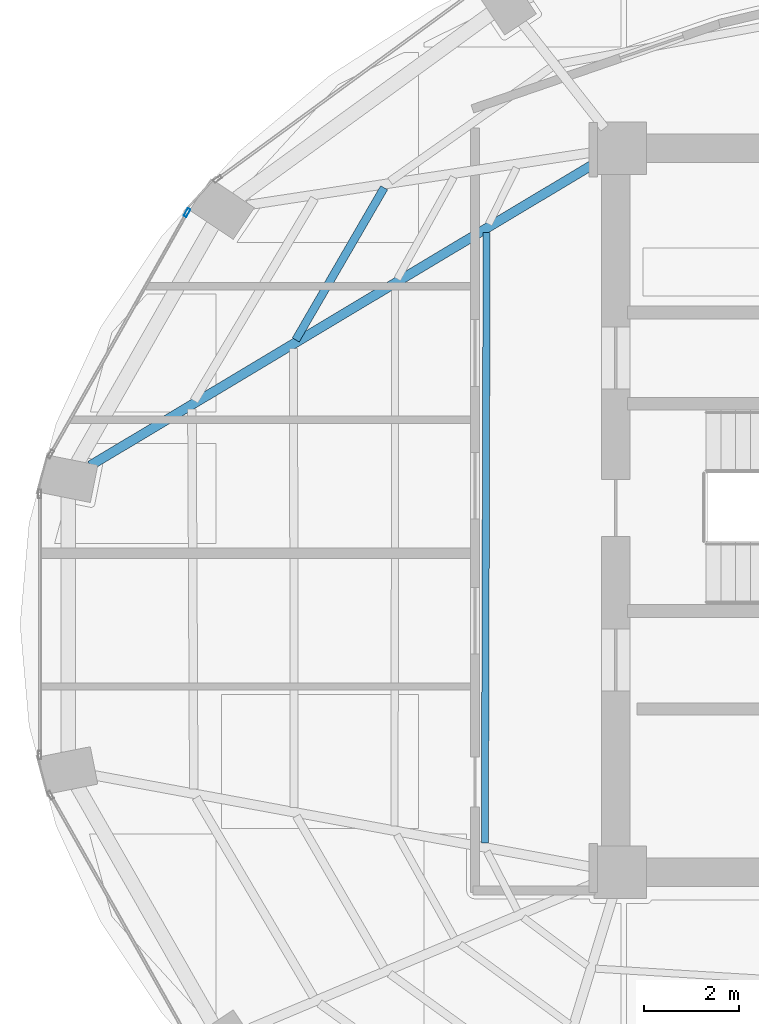
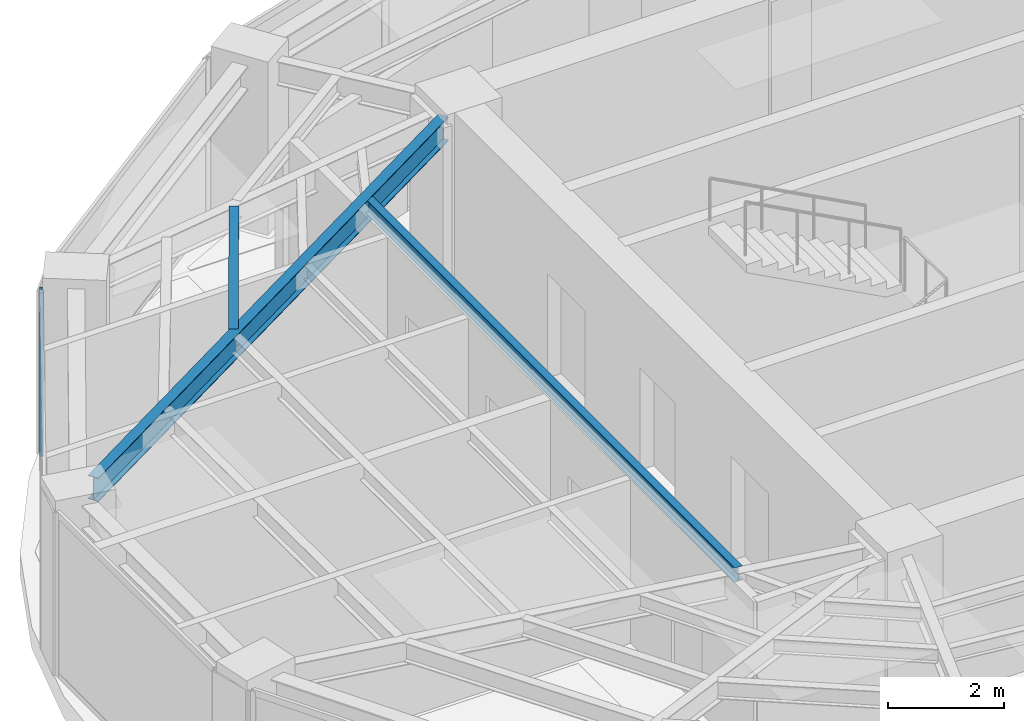
# One storey, part 9 of 23: 3 beams, 1 member, 1 element without a shape of its own.
"""IFC4 building model written with IfcOpenShell, lengths in metres."""

import ifcopenshell
import ifcopenshell.guid

model = None  # the IFC model being written
_history = None  # IfcOwnerHistory: only IFC2X3 demands one
_inside = {}  # id of a spatial element -> (the spatial element, [elements in it])
_under = {}  # id of a project, library or spatial element -> (it, [spatial elements below it])
_declared = {}  # id of a project -> (the project, [libraries it declares])
_typed = {}  # id of a type object -> (the type object, [elements of that type])
_made_of = {}  # id of a material, layer set ... -> (it, [elements and type objects made of it])


def new_model(schema):
    """Start an empty IFC model of exactly this schema.

    Asked for "IFC4X3", IfcOpenShell would pick the latest addendum, in which some entities
    have other attributes; the version numbers below select the first issue.
    IFC2X3 requires an IfcOwnerHistory on every rooted entity: one is made here for all.
    """
    global model, _history
    if schema == "IFC4X3":
        model = ifcopenshell.file(schema_version=(4, 3, 0, 0))
    else:
        model = ifcopenshell.file(schema=schema)
    _inside.clear()
    _under.clear()
    _declared.clear()
    _typed.clear()
    _made_of.clear()
    _history = None
    if model.schema == "IFC2X3":
        org = make("IfcOrganization", Name="unknown")
        user = make(
            "IfcPersonAndOrganization",
            ThePerson=make("IfcPerson", FamilyName="unknown"),
            TheOrganization=org,
        )
        app = make(
            "IfcApplication",
            ApplicationDeveloper=org,
            Version="unknown",
            ApplicationFullName="unknown",
            ApplicationIdentifier="unknown",
        )
        _history = make(
            "IfcOwnerHistory",
            OwningUser=user,
            OwningApplication=app,
            ChangeAction="ADDED",
            CreationDate=0,
        )
    return model


def make(cls, **values):
    """One entity of the class cls with the attributes given. An attribute that is None is left unset."""
    return model.create_entity(
        cls, **{name: value for name, value in values.items() if value is not None}
    )


def rooted(cls, **values):
    """An entity with a GlobalId (a new one), such as an element, a storey or a relation."""
    return make(cls, GlobalId=ifcopenshell.guid.new(), OwnerHistory=_history, **values)


def si_unit(unit_type, name, prefix=None):
    """IfcSIUnit, for example si_unit("LENGTHUNIT", "METRE", prefix="MILLI")."""
    return make("IfcSIUnit", UnitType=unit_type, Prefix=prefix, Name=name)


def assignment(units):
    """IfcUnitAssignment: the units of a project."""
    return None if units is None else make("IfcUnitAssignment", Units=units)


def point(xyz):
    """IfcCartesianPoint."""
    return None if xyz is None else make("IfcCartesianPoint", Coordinates=xyz)


def direction(xyz):
    """IfcDirection."""
    return None if xyz is None else make("IfcDirection", DirectionRatios=xyz)


def frame(location, z_axis=None, x_axis=None):
    """IfcAxis2Placement3D, a coordinate frame: its origin and axes. An axis left out is left unset."""
    return make(
        "IfcAxis2Placement3D",
        Location=point(location),
        Axis=direction(z_axis),
        RefDirection=direction(x_axis),
    )


def frame_2d(location, x_axis=None):
    """IfcAxis2Placement2D, a coordinate frame in the plane: its origin and x axis."""
    return make(
        "IfcAxis2Placement2D", Location=point(location), RefDirection=direction(x_axis)
    )


def origin():
    """The frame at (0, 0, 0) with its axes left unset."""
    return frame((0.0, 0.0, 0.0))


def origin_2d():
    """The frame at (0, 0) in the plane with its x axis left unset."""
    return frame_2d((0.0, 0.0))


def place(relative_to, where):
    """IfcLocalPlacement: puts the frame where relative to a parent placement (None: the world)."""
    return make(
        "IfcLocalPlacement", PlacementRelTo=relative_to, RelativePlacement=where
    )


def context(
    kind, dimensions, precision=None, world=None, true_north=None, identifier=None
):
    """IfcGeometricRepresentationContext, for example the 3D "Model" context."""
    return make(
        "IfcGeometricRepresentationContext",
        ContextIdentifier=identifier,
        ContextType=kind,
        CoordinateSpaceDimension=dimensions,
        Precision=precision,
        WorldCoordinateSystem=world,
        TrueNorth=true_north,
    )


def subcontext(parent, identifier, kind, view, scale=None):
    """IfcGeometricRepresentationSubContext, for example "Body" below "Model"."""
    return make(
        "IfcGeometricRepresentationSubContext",
        ContextIdentifier=identifier,
        ContextType=kind,
        ParentContext=parent,
        TargetScale=scale,
        TargetView=view,
    )


def project(units=None, contexts=None):
    """IfcProject with its units and contexts."""
    return rooted(
        "IfcProject",
        Name="project",
        RepresentationContexts=contexts,
        UnitsInContext=assignment(units),
    )


def spatial(cls, under=None, at=None, **own):
    """A site, building, storey or space (cls), placed at a placement, below another one or the project."""
    s = rooted(cls, ObjectPlacement=at, **own)
    if under is not None:
        _under.setdefault(under.id(), (under, []))[1].append(s)
    return s


def profile(cls, at=None, kind="AREA", **sizes):
    """A parametric profile (cls). Its sizes go by their IFC names, for example OverallWidth=200.0."""
    return make(cls, ProfileType=kind, Position=at, **sizes)


def hollow_rectangle(**sizes):
    """IfcRectangleHollowProfileDef."""
    return profile("IfcRectangleHollowProfileDef", **sizes)


def i_section(**sizes):
    """IfcIShapeProfileDef."""
    return profile("IfcIShapeProfileDef", **sizes)


def extrude(swept, where, along, depth):
    """IfcExtrudedAreaSolid: the profile swept, set in the frame where, extruded along a direction by depth."""
    return make(
        "IfcExtrudedAreaSolid",
        SweptArea=swept,
        Position=where,
        ExtrudedDirection=direction(along),
        Depth=depth,
    )


def shape(context_of_items, identifier, shape_type, items):
    """IfcShapeRepresentation: the items that make up one representation, for example the "Body"."""
    return make(
        "IfcShapeRepresentation",
        ContextOfItems=context_of_items,
        RepresentationIdentifier=identifier,
        RepresentationType=shape_type,
        Items=items,
    )


def material(Name=None, Category=None):
    """IfcMaterial."""
    return make("IfcMaterial", Name=Name, Category=Category)


def layer(
    of_material, thickness, ventilated=None, Name=None, Category=None, Priority=None
):
    """IfcMaterialLayer: one layer of a wall or slab, of a material (None: an air gap)."""
    return make(
        "IfcMaterialLayer",
        Material=of_material,
        LayerThickness=thickness,
        IsVentilated=ventilated,
        Name=Name,
        Category=Category,
        Priority=Priority,
    )


def layer_set(layers, Name=None):
    """IfcMaterialLayerSet."""
    return make("IfcMaterialLayerSet", MaterialLayers=layers, LayerSetName=Name)


def material_profile(
    of_material, cross_section, Name=None, Category=None, Priority=None
):
    """IfcMaterialProfile: a cross section and its material."""
    return make(
        "IfcMaterialProfile",
        Name=Name,
        Material=of_material,
        Profile=cross_section,
        Priority=Priority,
        Category=Category,
    )


def profile_set(profiles, Name=None, composite=None):
    """IfcMaterialProfileSet."""
    return make(
        "IfcMaterialProfileSet",
        Name=Name,
        MaterialProfiles=profiles,
        CompositeProfile=composite,
    )


def made_of(thing, what):
    """Note that an element or type object is made of a material, layer set ...; save() writes the relation."""
    if what is not None:
        _made_of.setdefault(what.id(), (what, []))[1].append(thing)
    return thing


def type_object(cls, material=None, **own):
    """A type object (cls), such as IfcWallType, which elements share."""
    return made_of(rooted(cls, **own), material)


def element(
    cls,
    number,
    at=None,
    inside=None,
    cuts=None,
    type_object=None,
    material=None,
    context=None,
    identifier="Body",
    shape_type=None,
    held_by="IfcProductDefinitionShape",
    body=None,
    shapes=None,
    **own,
):
    """One element of the class cls, such as IfcWall. Its Tag is "e" and its number.

    at: its placement. inside: the storey or other place that contains it. cuts: it is an
    opening in that element (IfcRelVoidsElement). A single representation is given by context,
    identifier, shape_type and body (its items); several are given by shapes. held_by: the class
    of the entity that holds the representations. save() writes the other relations.
    """
    e = rooted(cls, Tag="e%d" % number, ObjectPlacement=at, **own)
    if body is not None:
        shapes = [shape(context, identifier, shape_type, body)]
    if shapes is not None:
        e.Representation = make(held_by, Representations=shapes)
    if inside is not None:
        _inside.setdefault(inside.id(), (inside, []))[1].append(e)
    if cuts is not None:
        rooted(
            "IfcRelVoidsElement", RelatingBuildingElement=cuts, RelatedOpeningElement=e
        )
    if type_object is not None:
        _typed.setdefault(type_object.id(), (type_object, []))[1].append(e)
    return made_of(e, material)


def aggregate(whole, parts):
    """IfcRelAggregates: a whole, such as a stair, and the parts it consists of."""
    return rooted("IfcRelAggregates", RelatingObject=whole, RelatedObjects=parts)


def save(model, path):
    """Write the relations noted so far, then the file.

    IfcRelAggregates (storeys below a building ...), IfcRelContainedInSpatialStructure (elements
    in a storey), IfcRelDefinesByType, IfcRelAssociatesMaterial and IfcRelDeclares: one each for
    every whole, place, type object, material and project.
    """
    for whole, parts in _under.values():
        aggregate(whole, parts)
    for where, things in _inside.values():
        rooted(
            "IfcRelContainedInSpatialStructure",
            RelatedElements=things,
            RelatingStructure=where,
        )
    for kind, things in _typed.values():
        rooted("IfcRelDefinesByType", RelatedObjects=things, RelatingType=kind)
    for what, things in _made_of.values():
        rooted("IfcRelAssociatesMaterial", RelatedObjects=things, RelatingMaterial=what)
    for by, libraries in _declared.values():
        rooted("IfcRelDeclares", RelatingContext=by, RelatedDefinitions=libraries)
    model.write(path)


model = new_model("IFC4")

# Units and contexts
model_context = context("Model", 3, precision=1e-05, world=origin(), true_north=direction((0.0, 1.0)))
body_context = subcontext(model_context, "Body", "Model", "MODEL_VIEW")
ifc_project = project(units=[si_unit("LENGTHUNIT", "METRE"), si_unit("AREAUNIT", "SQUARE_METRE"), si_unit("VOLUMEUNIT", "CUBIC_METRE"), si_unit("PLANEANGLEUNIT", "RADIAN"), si_unit("MASSUNIT", "GRAM", prefix="KILO")], contexts=[model_context])

# Site, building, storey
site_placement = place(None, origin())
site = spatial("IfcSite", under=ifc_project, at=site_placement, CompositionType="ELEMENT")
building_placement = place(site_placement, origin())
building = spatial("IfcBuilding", under=site, at=building_placement, Name="Lazwardi Medical Tower", CompositionType="ELEMENT")
storey_placement = place(building_placement, frame((0.0, 0.0, 194.83203125)))
storey = spatial("IfcBuildingStorey", under=building, at=storey_placement, Name="L50", CompositionType="ELEMENT", Elevation=194.83203125)

# Beams
ifc_material_1 = material(Name="Steel S355", Category="steel")
ifc_material_profile_1 = material_profile(ifc_material_1, i_section(OverallWidth=0.199951171875, OverallDepth=0.5, WebThickness=0.01025390625, FlangeThickness=0.01611328125, at=origin_2d()), Name="IPE 500")
ifc_profile_set_1 = profile_set([ifc_material_profile_1], Name="Steel S355")
beam_type_1 = type_object("IfcBeamType", Name="BM-RG-W3", PredefinedType="BEAM", material=ifc_profile_set_1)
beam_1_placement = place(storey_placement, frame((15.27392578125, 28.937744140625, 3.197998046875), z_axis=(0.857944804603, 0.513741873176, 0.0), x_axis=(-0.513741873176, 0.857944804603, 0.0)))
element("IfcBeam", 1, at=beam_1_placement, inside=storey, type_object=beam_type_1, Name="Radial girder RG-04 R12 L50", PredefinedType="BEAM", context=body_context, shape_type="SweptSolid", body=[
    extrude(i_section(OverallWidth=0.199951171875, OverallDepth=0.5, WebThickness=0.01025390625, FlangeThickness=0.01611328125, at=origin_2d()), origin(), (0.0, 0.0, 1.0), 12.43310546875),
])
ifc_material_profile_2 = material_profile(ifc_material_1, i_section(OverallWidth=0.169921875, OverallDepth=0.360107421875, WebThickness=0.008056640625, FlangeThickness=0.0126953125, at=origin_2d()), Name="IPE 360")
ifc_profile_set_2 = profile_set([ifc_material_profile_2], Name="Steel S355")
beam_type_2 = type_object("IfcBeamType", Name="BM-SJ-02", PredefinedType="JOIST", material=ifc_profile_set_2)
beam_2_placement = place(storey_placement, frame((21.4423828125, 34.767578125, 3.26806640625), z_axis=(-0.50218018565, -0.864763008657, 0.0), x_axis=(0.864763008657, -0.50218018565, 0.0)))
element("IfcBeam", 2, at=beam_2_placement, inside=storey, type_object=beam_type_2, Name="Secondary joist SJ-02 R2 B11 L50", PredefinedType="JOIST", context=body_context, shape_type="SweptSolid", body=[
    extrude(i_section(OverallWidth=0.169921875, OverallDepth=0.360107421875, WebThickness=0.008056640625, FlangeThickness=0.0126953125, at=origin_2d()), origin(), (0.0, 0.0, 1.0), 3.69189453125),
])
ifc_material_profile_3 = material_profile(ifc_material_1, i_section(OverallWidth=0.14990234375, OverallDepth=0.300048828125, WebThickness=0.007080078125, FlangeThickness=0.0107421875, at=origin_2d()), Name="IPE 300")
ifc_profile_set_3 = profile_set([ifc_material_profile_3], Name="Steel S355")
beam_type_3 = type_object("IfcBeamType", Name="BM-SJ-03", PredefinedType="JOIST", material=ifc_profile_set_3)
beam_3_placement = place(storey_placement, frame((23.593994140625, 33.824951171875, 3.2978515625), z_axis=(-0.002897930673, -0.99999580099, 0.0), x_axis=(0.99999580099, -0.002897930673, 0.0)))
element("IfcBeam", 3, at=beam_3_placement, inside=storey, type_object=beam_type_3, Name="Secondary joist SJ-03 R4 B12 L50", PredefinedType="JOIST", context=body_context, shape_type="SweptSolid", body=[
    extrude(i_section(OverallWidth=0.14990234375, OverallDepth=0.300048828125, WebThickness=0.007080078125, FlangeThickness=0.0107421875, at=origin_2d()), origin(), (0.0, 0.0, 1.0), 12.805419921875),
])

# Curtain wall, member
ifc_material_2 = material(Name="Anodised bronze aluminium and solar control glazing", Category="aluminium")
ifc_layer = layer(ifc_material_2, 0.18994140625)
ifc_layer_set = layer_set([ifc_layer], Name="Anodised bronze aluminium and solar control glazing")
curtain_wall_type = type_object("IfcCurtainWallType", Name="CW-SYS-04", PredefinedType="NOTDEFINED", material=ifc_layer_set)
curtain_wall_placement = place(storey_placement, origin())
curtain_wall = element("IfcCurtainWall", 4, at=curtain_wall_placement, inside=storey, type_object=curtain_wall_type, Name="L50 Unitised bronze curtain wall CW-04", PredefinedType="NOTDEFINED")
ifc_material_3 = material(Name="Anodised bronze aluminium", Category="aluminium")
ifc_material_profile_4 = material_profile(ifc_material_3, hollow_rectangle(XDim=0.06494140625, YDim=0.179931640625, WallThickness=0.00390625, at=origin_2d()), Name="ALU-MULLION 180x65x4")
ifc_profile_set_4 = profile_set([ifc_material_profile_4], Name="Anodised bronze aluminium")
member_type = type_object("IfcMemberType", Name="CW-MUL-03", PredefinedType="MULLION", material=ifc_profile_set_4)
member_placement = place(storey_placement, frame((17.3056640625, 34.24560546875, 0.0), z_axis=(0.0, 0.0, 1.0), x_axis=(0.870651436011, -0.491900474661, 0.0)))
member = element("IfcMember", 5, at=member_placement, type_object=member_type, Name="CW-04 mullion 1", PredefinedType="MULLION", context=body_context, shape_type="SweptSolid", body=[
    extrude(hollow_rectangle(XDim=0.06494140625, YDim=0.179931640625, WallThickness=0.00390625, at=origin_2d()), origin(), (0.0, 0.0, 1.0), 3.447998046875),
])
aggregate(curtain_wall, [member])

save(model, "model.ifc")
